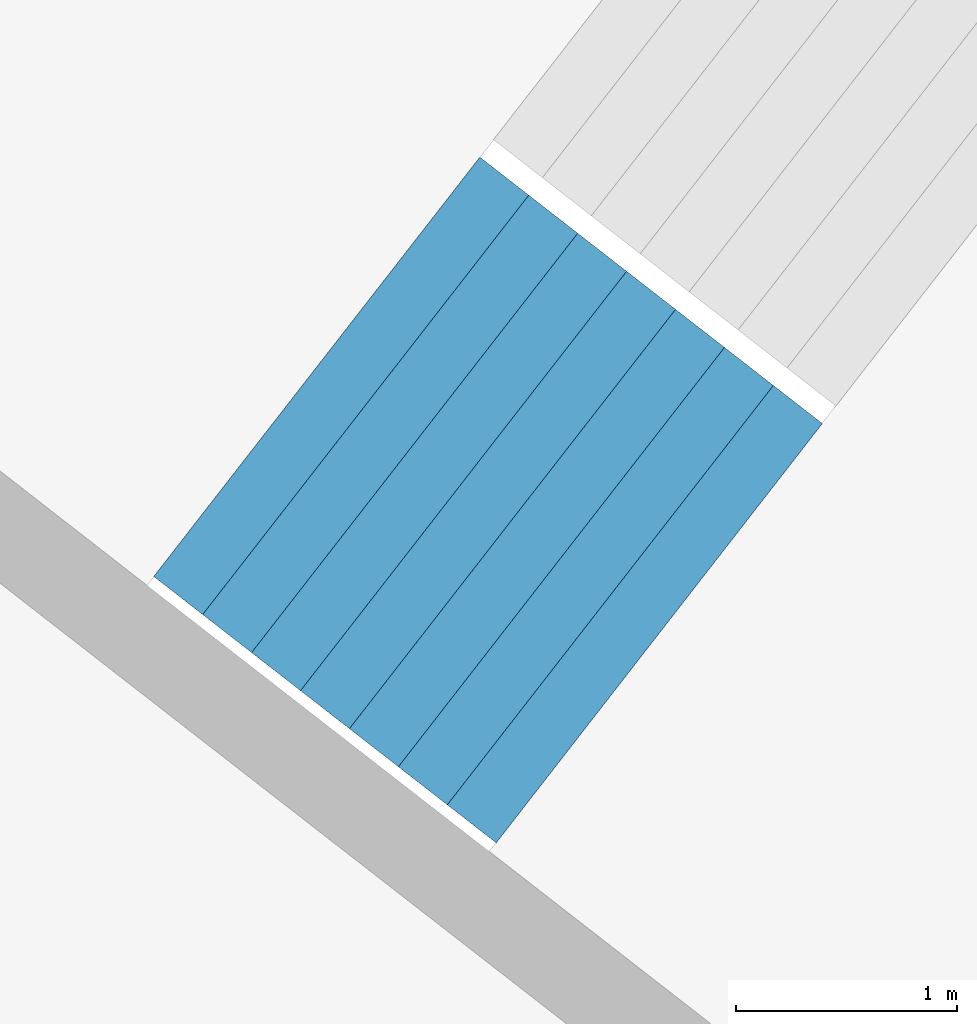
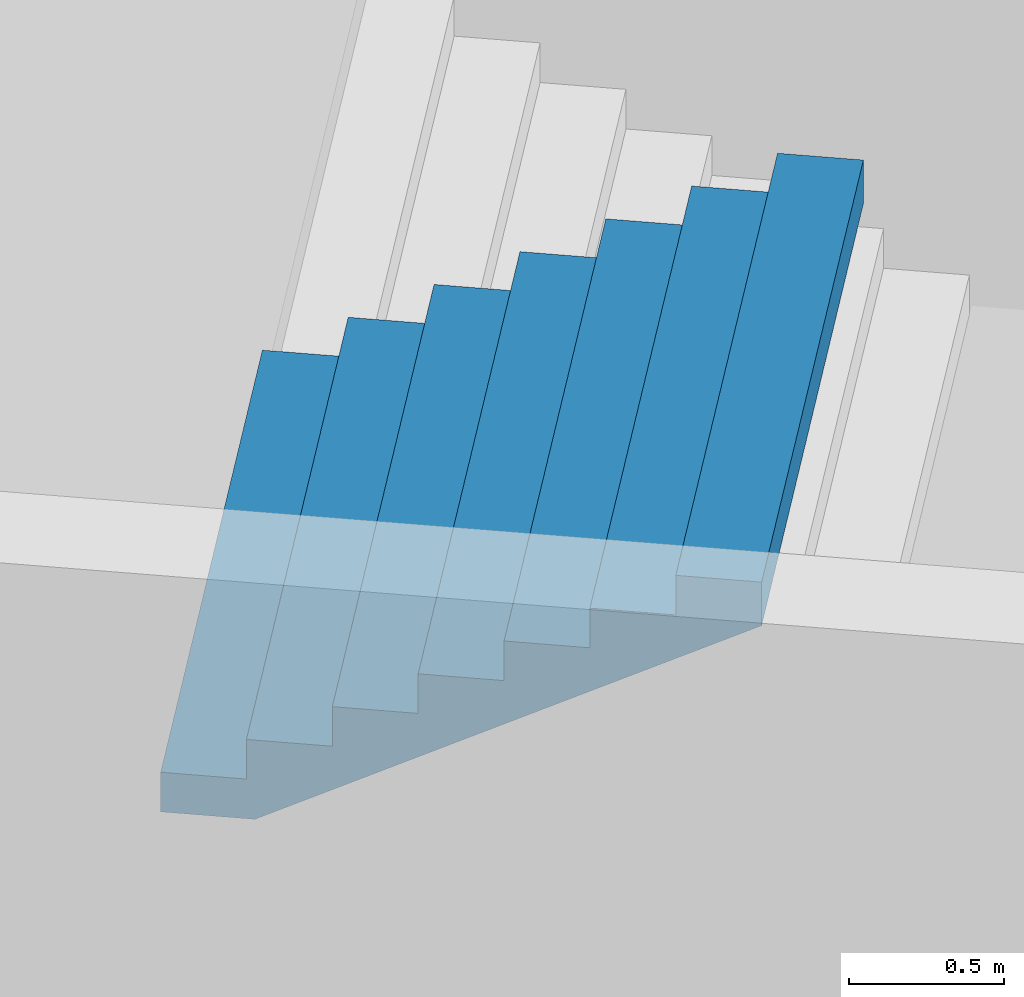
# One storey, part 38 of 73: 1 stair flight, 1 element without a shape of its own.
"""IFC4 building model written with IfcOpenShell, lengths in metres."""

from ifc_helpers import new_model, si_unit, direction, frame, origin, place, context, subcontext, project, spatial, triangles, material, type_object, element, aggregate, save


model = new_model("IFC4")

# Units and contexts
model_context = context("Model", 3, precision=1e-05, world=origin(), true_north=direction((0.0, 1.0)))
body_context = subcontext(model_context, "Body", "Model", "MODEL_VIEW")
ifc_project = project(units=[si_unit("LENGTHUNIT", "METRE"), si_unit("AREAUNIT", "SQUARE_METRE"), si_unit("VOLUMEUNIT", "CUBIC_METRE"), si_unit("PLANEANGLEUNIT", "RADIAN"), si_unit("MASSUNIT", "GRAM", prefix="KILO")], contexts=[model_context])

# Site, building, storey
site_placement = place(None, origin())
site = spatial("IfcSite", under=ifc_project, at=site_placement, CompositionType="ELEMENT")
building_placement = place(site_placement, origin())
building = spatial("IfcBuilding", under=site, at=building_placement, Name="Lantaw Convention Tower", CompositionType="ELEMENT")
storey_placement = place(building_placement, frame((0.0, 0.0, 22.0)))
storey = spatial("IfcBuildingStorey", under=building, at=storey_placement, Name="L03", CompositionType="ELEMENT", Elevation=22.0)

# Stair, stair flight
ifc_material = material(Name="Concrete C35/45", Category="concrete")
stair_type = type_object("IfcStairType", Name="Exit stair 2400 riser 156.25 in 4 flights", PredefinedType="HALF_TURN_STAIR", material=ifc_material)
stair_placement = place(storey_placement, origin())
stair = element("IfcStair", 1, at=stair_placement, inside=storey, type_object=stair_type, Name="Podium exit stair P7 L03", PredefinedType="HALF_TURN_STAIR")
stair_flight_type = type_object("IfcStairFlightType", Name="Stair flight 2400 riser 156.25", PredefinedType="STRAIGHT", material=ifc_material)
stair_flight_placement = place(storey_placement, frame((-31.04150390625, 22.557861328125, 3.75), z_axis=(0.0, 0.0, 1.0), x_axis=(0.789378829664, -0.613906396186, 0.0)))
stair_flight = element("IfcStairFlight", 2, at=stair_flight_placement, type_object=stair_flight_type, Name="P7 flight 4", NumberOfRisers=8, NumberOfTreads=7, PredefinedType="STRAIGHT", RiserHeight=0.15625, TreadLength=0.28, context=body_context, shape_type="Tessellation", body=[
    triangles([(0.0, 1.199951171875, 0.0), (0.0, 1.199951171875, 0.15625), (0.28, 1.199951171875, 0.0), (0.28, 1.199951171875, 0.15625), (0.28, 1.199951171875, 0.3125), (0.3076200632058044, 1.199951171875, 0.0), (0.3076200632058044, 1.199951171875, 0.3125), (0.56, 1.199951171875, 0.14083701830033238), (0.56, 1.199951171875, 0.3125), (0.56, 1.199951171875, 0.46875), (0.8400000000000001, 1.199951171875, 0.29708701830033235), (0.8400000000000001, 1.199951171875, 0.46875), (0.8400000000000001, 1.199951171875, 0.625), (1.12, 1.199951171875, 0.45333701830033235), (1.12, 1.199951171875, 0.625), (1.12, 1.199951171875, 0.78125), (1.4000000000000001, 1.199951171875, 0.6095870183003324), (1.4000000000000001, 1.199951171875, 0.78125), (1.4000000000000001, 1.199951171875, 0.9375), (1.6800000000000002, 1.199951171875, 0.7658370183003324), (1.6800000000000002, 1.199951171875, 0.9375), (1.6800000000000002, 1.199951171875, 1.09375), (1.9600000000000002, 1.199951171875, 0.9220870183003324), (1.9600000000000002, 1.199951171875, 1.09375), (0.0, -1.199951171875, 0.0), (0.0, -1.199951171875, 0.15625), (0.28, -1.199951171875, 0.0), (0.28, -1.199951171875, 0.15625), (0.28, -1.199951171875, 0.3125), (0.3076200632058044, -1.199951171875, 0.0), (0.3076200632058044, -1.199951171875, 0.3125), (0.56, -1.199951171875, 0.14083701830033238), (0.56, -1.199951171875, 0.3125), (0.56, -1.199951171875, 0.46875), (0.8400000000000001, -1.199951171875, 0.29708701830033235), (0.8400000000000001, -1.199951171875, 0.46875), (0.8400000000000001, -1.199951171875, 0.625), (1.12, -1.199951171875, 0.45333701830033235), (1.12, -1.199951171875, 0.625), (1.12, -1.199951171875, 0.78125), (1.4000000000000001, -1.199951171875, 0.6095870183003324), (1.4000000000000001, -1.199951171875, 0.78125), (1.4000000000000001, -1.199951171875, 0.9375), (1.6800000000000002, -1.199951171875, 0.7658370183003324), (1.6800000000000002, -1.199951171875, 0.9375), (1.6800000000000002, -1.199951171875, 1.09375), (1.9600000000000002, -1.199951171875, 0.9220870183003324), (1.9600000000000002, -1.199951171875, 1.09375), (0.0, 0.239990234375, 0.15625), (0.0, 0.239990234375, 0.0), (0.0, 0.1919921875, 0.15625), (0.0, 0.1919921875, 0.0), (0.0, 0.143994140625, 0.15625), (0.0, 0.143994140625, 0.0), (0.0, 0.09599609375, 0.15625), (0.0, 0.09599609375, 0.0), (0.0, 0.047998046875, 0.15625), (0.0, 0.047998046875, 0.0), (0.0, 0.0, 0.15625), (0.0, 0.0, 0.0), (0.0, -0.047998046875, 0.15625), (0.0, -0.047998046875, 0.0), (0.0, -0.09599609375, 0.15625), (0.0, -0.09599609375, 0.0), (0.0, -0.143994140625, 0.15625), (0.0, -0.143994140625, 0.0), (0.0, -0.1919921875, 0.15625), (0.0, -0.1919921875, 0.0), (0.0, -0.239990234375, 0.15625), (0.0, -0.239990234375, 0.0), (0.28, 0.239990234375, 0.3125), (0.28, 0.239990234375, 0.15625), (0.28, 0.1919921875, 0.3125), (0.28, 0.1919921875, 0.15625), (0.28, 0.143994140625, 0.3125), (0.28, 0.143994140625, 0.15625), (0.28, 0.09599609375, 0.3125), (0.28, 0.09599609375, 0.15625), (0.28, 0.047998046875, 0.3125), (0.28, 0.047998046875, 0.15625), (0.28, 0.0, 0.3125), (0.28, 0.0, 0.15625), (0.28, -0.047998046875, 0.3125), (0.28, -0.047998046875, 0.15625), (0.28, -0.09599609375, 0.3125), (0.28, -0.09599609375, 0.15625), (0.28, -0.143994140625, 0.3125), (0.28, -0.143994140625, 0.15625), (0.28, -0.1919921875, 0.3125), (0.28, -0.1919921875, 0.15625), (0.28, -0.239990234375, 0.3125), (0.28, -0.239990234375, 0.15625), (0.56, 0.239990234375, 0.46875), (0.56, 0.239990234375, 0.3125), (0.56, 0.1919921875, 0.46875), (0.56, 0.1919921875, 0.3125), (0.56, 0.143994140625, 0.46875), (0.56, 0.143994140625, 0.3125), (0.56, 0.09599609375, 0.46875), (0.56, 0.09599609375, 0.3125), (0.56, 0.047998046875, 0.46875), (0.56, 0.047998046875, 0.3125), (0.56, 0.0, 0.46875), (0.56, 0.0, 0.3125), (0.56, -0.047998046875, 0.46875), (0.56, -0.047998046875, 0.3125), (0.56, -0.09599609375, 0.46875), (0.56, -0.09599609375, 0.3125), (0.56, -0.143994140625, 0.46875), (0.56, -0.143994140625, 0.3125), (0.56, -0.1919921875, 0.46875), (0.56, -0.1919921875, 0.3125), (0.56, -0.239990234375, 0.46875), (0.56, -0.239990234375, 0.3125), (0.8400000000000001, 0.239990234375, 0.625), (0.8400000000000001, 0.239990234375, 0.46875), (0.8400000000000001, 0.1919921875, 0.625), (0.8400000000000001, 0.1919921875, 0.46875), (0.8400000000000001, 0.143994140625, 0.625), (0.8400000000000001, 0.143994140625, 0.46875), (0.8400000000000001, 0.09599609375, 0.625), (0.8400000000000001, 0.09599609375, 0.46875), (0.8400000000000001, 0.047998046875, 0.625), (0.8400000000000001, 0.047998046875, 0.46875), (0.8400000000000001, 0.0, 0.625), (0.8400000000000001, 0.0, 0.46875), (0.8400000000000001, -0.047998046875, 0.625), (0.8400000000000001, -0.047998046875, 0.46875), (0.8400000000000001, -0.09599609375, 0.625), (0.8400000000000001, -0.09599609375, 0.46875), (0.8400000000000001, -0.143994140625, 0.625), (0.8400000000000001, -0.143994140625, 0.46875), (0.8400000000000001, -0.1919921875, 0.625), (0.8400000000000001, -0.1919921875, 0.46875), (0.8400000000000001, -0.239990234375, 0.625), (0.8400000000000001, -0.239990234375, 0.46875), (1.12, 0.239990234375, 0.78125), (1.12, 0.239990234375, 0.625), (1.12, 0.1919921875, 0.78125), (1.12, 0.1919921875, 0.625), (1.12, 0.143994140625, 0.78125), (1.12, 0.143994140625, 0.625), (1.12, 0.09599609375, 0.78125), (1.12, 0.09599609375, 0.625), (1.12, 0.047998046875, 0.78125), (1.12, 0.047998046875, 0.625), (1.12, 0.0, 0.78125), (1.12, 0.0, 0.625), (1.12, -0.047998046875, 0.78125), (1.12, -0.047998046875, 0.625), (1.12, -0.09599609375, 0.78125), (1.12, -0.09599609375, 0.625), (1.12, -0.143994140625, 0.78125), (1.12, -0.143994140625, 0.625), (1.12, -0.1919921875, 0.78125), (1.12, -0.1919921875, 0.625), (1.12, -0.239990234375, 0.78125), (1.12, -0.239990234375, 0.625), (1.4000000000000001, 0.239990234375, 0.9375), (1.4000000000000001, 0.239990234375, 0.78125), (1.4000000000000001, 0.1919921875, 0.9375), (1.4000000000000001, 0.1919921875, 0.78125), (1.4000000000000001, 0.143994140625, 0.9375), (1.4000000000000001, 0.143994140625, 0.78125), (1.4000000000000001, 0.09599609375, 0.9375), (1.4000000000000001, 0.09599609375, 0.78125), (1.4000000000000001, 0.047998046875, 0.9375), (1.4000000000000001, 0.047998046875, 0.78125), (1.4000000000000001, 0.0, 0.9375), (1.4000000000000001, 0.0, 0.78125), (1.4000000000000001, -0.047998046875, 0.9375), (1.4000000000000001, -0.047998046875, 0.78125), (1.4000000000000001, -0.09599609375, 0.9375), (1.4000000000000001, -0.09599609375, 0.78125), (1.4000000000000001, -0.143994140625, 0.9375), (1.4000000000000001, -0.143994140625, 0.78125), (1.4000000000000001, -0.1919921875, 0.9375), (1.4000000000000001, -0.1919921875, 0.78125), (1.4000000000000001, -0.239990234375, 0.9375), (1.4000000000000001, -0.239990234375, 0.78125), (1.6800000000000002, 0.239990234375, 1.09375), (1.6800000000000002, 0.239990234375, 0.9375), (1.6800000000000002, 0.1919921875, 1.09375), (1.6800000000000002, 0.1919921875, 0.9375), (1.6800000000000002, 0.143994140625, 1.09375), (1.6800000000000002, 0.143994140625, 0.9375), (1.6800000000000002, 0.09599609375, 1.09375), (1.6800000000000002, 0.09599609375, 0.9375), (1.6800000000000002, 0.047998046875, 1.09375), (1.6800000000000002, 0.047998046875, 0.9375), (1.6800000000000002, 0.0, 1.09375), (1.6800000000000002, 0.0, 0.9375), (1.6800000000000002, -0.047998046875, 1.09375), (1.6800000000000002, -0.047998046875, 0.9375), (1.6800000000000002, -0.09599609375, 1.09375), (1.6800000000000002, -0.09599609375, 0.9375), (1.6800000000000002, -0.143994140625, 1.09375), (1.6800000000000002, -0.143994140625, 0.9375), (1.6800000000000002, -0.1919921875, 1.09375), (1.6800000000000002, -0.1919921875, 0.9375), (1.6800000000000002, -0.239990234375, 1.09375), (1.6800000000000002, -0.239990234375, 0.9375), (0.3076200632058044, 0.239990234375, 0.3125), (0.3076200632058044, 0.1919921875, 0.3125), (0.3076200632058044, 0.143994140625, 0.3125), (0.3076200632058044, 0.09599609375, 0.3125), (0.3076200632058044, 0.047998046875, 0.3125), (0.3076200632058044, 0.0, 0.3125), (0.3076200632058044, -0.047998046875, 0.3125), (0.3076200632058044, -0.09599609375, 0.3125), (0.3076200632058044, -0.143994140625, 0.3125), (0.3076200632058044, -0.1919921875, 0.3125), (0.3076200632058044, -0.239990234375, 0.3125), (1.9600000000000002, 0.239990234375, 1.09375), (1.9600000000000002, 0.1919921875, 1.09375), (1.9600000000000002, 0.143994140625, 1.09375), (1.9600000000000002, 0.09599609375, 1.09375), (1.9600000000000002, 0.047998046875, 1.09375), (1.9600000000000002, 0.0, 1.09375), (1.9600000000000002, -0.047998046875, 1.09375), (1.9600000000000002, -0.09599609375, 1.09375), (1.9600000000000002, -0.143994140625, 1.09375), (1.9600000000000002, -0.1919921875, 1.09375), (1.9600000000000002, -0.239990234375, 1.09375), (1.9600000000000002, 0.239990234375, 0.9220870183003324), (1.9600000000000002, 0.1919921875, 0.9220870183003324), (1.9600000000000002, 0.143994140625, 0.9220870183003324), (1.9600000000000002, 0.09599609375, 0.9220870183003324), (1.9600000000000002, 0.047998046875, 0.9220870183003324), (1.9600000000000002, 0.0, 0.9220870183003324), (1.9600000000000002, -0.047998046875, 0.9220870183003324), (1.9600000000000002, -0.09599609375, 0.9220870183003324), (1.9600000000000002, -0.143994140625, 0.9220870183003324), (1.9600000000000002, -0.1919921875, 0.9220870183003324), (1.9600000000000002, -0.239990234375, 0.9220870183003324), (1.6800000000000002, 0.239990234375, 0.7658370183003324), (1.6800000000000002, 0.1919921875, 0.7658370183003324), (1.6800000000000002, 0.143994140625, 0.7658370183003324), (1.6800000000000002, 0.09599609375, 0.7658370183003324), (1.6800000000000002, 0.047998046875, 0.7658370183003324), (1.6800000000000002, 0.0, 0.7658370183003324), (1.6800000000000002, -0.047998046875, 0.7658370183003324), (1.6800000000000002, -0.09599609375, 0.7658370183003324), (1.6800000000000002, -0.143994140625, 0.7658370183003324), (1.6800000000000002, -0.1919921875, 0.7658370183003324), (1.6800000000000002, -0.239990234375, 0.7658370183003324), (1.4000000000000001, 0.239990234375, 0.6095870183003324), (1.4000000000000001, 0.1919921875, 0.6095870183003324), (1.4000000000000001, 0.143994140625, 0.6095870183003324), (1.4000000000000001, 0.09599609375, 0.6095870183003324), (1.4000000000000001, 0.047998046875, 0.6095870183003324), (1.4000000000000001, 0.0, 0.6095870183003324), (1.4000000000000001, -0.047998046875, 0.6095870183003324), (1.4000000000000001, -0.09599609375, 0.6095870183003324), (1.4000000000000001, -0.143994140625, 0.6095870183003324), (1.4000000000000001, -0.1919921875, 0.6095870183003324), (1.4000000000000001, -0.239990234375, 0.6095870183003324), (1.12, 0.239990234375, 0.45333701830033235), (1.12, 0.1919921875, 0.45333701830033235), (1.12, 0.143994140625, 0.45333701830033235), (1.12, 0.09599609375, 0.45333701830033235), (1.12, 0.047998046875, 0.45333701830033235), (1.12, 0.0, 0.45333701830033235), (1.12, -0.047998046875, 0.45333701830033235), (1.12, -0.09599609375, 0.45333701830033235), (1.12, -0.143994140625, 0.45333701830033235), (1.12, -0.1919921875, 0.45333701830033235), (1.12, -0.239990234375, 0.45333701830033235), (0.8400000000000001, 0.239990234375, 0.29708701830033235), (0.8400000000000001, 0.1919921875, 0.29708701830033235), (0.8400000000000001, 0.143994140625, 0.29708701830033235), (0.8400000000000001, 0.09599609375, 0.29708701830033235), (0.8400000000000001, 0.047998046875, 0.29708701830033235), (0.8400000000000001, 0.0, 0.29708701830033235), (0.8400000000000001, -0.047998046875, 0.29708701830033235), (0.8400000000000001, -0.09599609375, 0.29708701830033235), (0.8400000000000001, -0.143994140625, 0.29708701830033235), (0.8400000000000001, -0.1919921875, 0.29708701830033235), (0.8400000000000001, -0.239990234375, 0.29708701830033235), (0.56, 0.239990234375, 0.14083701830033238), (0.56, 0.1919921875, 0.14083701830033238), (0.56, 0.143994140625, 0.14083701830033238), (0.56, 0.09599609375, 0.14083701830033238), (0.56, 0.047998046875, 0.14083701830033238), (0.56, 0.0, 0.14083701830033238), (0.56, -0.047998046875, 0.14083701830033238), (0.56, -0.09599609375, 0.14083701830033238), (0.56, -0.143994140625, 0.14083701830033238), (0.56, -0.1919921875, 0.14083701830033238), (0.56, -0.239990234375, 0.14083701830033238), (0.3076200632058044, 0.239990234375, 0.0), (0.3076200632058044, 0.1919921875, 0.0), (0.3076200632058044, 0.143994140625, 0.0), (0.3076200632058044, 0.09599609375, 0.0), (0.3076200632058044, 0.047998046875, 0.0), (0.3076200632058044, 0.0, 0.0), (0.3076200632058044, -0.047998046875, 0.0), (0.3076200632058044, -0.09599609375, 0.0), (0.3076200632058044, -0.143994140625, 0.0), (0.3076200632058044, -0.1919921875, 0.0), (0.3076200632058044, -0.239990234375, 0.0), (0.28, 0.239990234375, 0.0), (0.28, 0.1919921875, 0.0), (0.28, 0.143994140625, 0.0), (0.28, 0.09599609375, 0.0), (0.28, 0.047998046875, 0.0), (0.28, 0.0, 0.0), (0.28, -0.047998046875, 0.0), (0.28, -0.09599609375, 0.0), (0.28, -0.143994140625, 0.0), (0.28, -0.1919921875, 0.0), (0.28, -0.239990234375, 0.0)], [[1, 4, 3], [1, 2, 4], [3, 4, 6], [4, 7, 6], [4, 5, 7], [6, 9, 8], [6, 7, 9], [8, 9, 11], [9, 12, 11], [9, 10, 12], [11, 12, 14], [12, 15, 14], [12, 13, 15], [14, 15, 17], [15, 18, 17], [15, 16, 18], [17, 18, 20], [18, 21, 20], [18, 19, 21], [20, 21, 23], [21, 24, 23], [21, 22, 24], [25, 27, 28], [25, 28, 26], [27, 30, 28], [28, 30, 31], [28, 31, 29], [30, 32, 33], [30, 33, 31], [32, 35, 33], [33, 35, 36], [33, 36, 34], [35, 38, 36], [36, 38, 39], [36, 39, 37], [38, 41, 39], [39, 41, 42], [39, 42, 40], [41, 44, 42], [42, 44, 45], [42, 45, 43], [44, 47, 45], [45, 47, 48], [45, 48, 46], [1, 49, 2], [1, 50, 49], [50, 51, 49], [50, 52, 51], [52, 53, 51], [52, 54, 53], [54, 55, 53], [54, 56, 55], [56, 57, 55], [56, 58, 57], [58, 59, 57], [58, 60, 59], [60, 61, 59], [60, 62, 61], [62, 63, 61], [62, 64, 63], [64, 65, 63], [64, 66, 65], [66, 67, 65], [66, 68, 67], [68, 69, 67], [68, 70, 69], [70, 26, 69], [70, 25, 26], [4, 71, 5], [4, 72, 71], [72, 73, 71], [72, 74, 73], [74, 75, 73], [74, 76, 75], [76, 77, 75], [76, 78, 77], [78, 79, 77], [78, 80, 79], [80, 81, 79], [80, 82, 81], [82, 83, 81], [82, 84, 83], [84, 85, 83], [84, 86, 85], [86, 87, 85], [86, 88, 87], [88, 89, 87], [88, 90, 89], [90, 91, 89], [90, 92, 91], [92, 29, 91], [92, 28, 29], [9, 93, 10], [9, 94, 93], [94, 95, 93], [94, 96, 95], [96, 97, 95], [96, 98, 97], [98, 99, 97], [98, 100, 99], [100, 101, 99], [100, 102, 101], [102, 103, 101], [102, 104, 103], [104, 105, 103], [104, 106, 105], [106, 107, 105], [106, 108, 107], [108, 109, 107], [108, 110, 109], [110, 111, 109], [110, 112, 111], [112, 113, 111], [112, 114, 113], [114, 34, 113], [114, 33, 34], [12, 115, 13], [12, 116, 115], [116, 117, 115], [116, 118, 117], [118, 119, 117], [118, 120, 119], [120, 121, 119], [120, 122, 121], [122, 123, 121], [122, 124, 123], [124, 125, 123], [124, 126, 125], [126, 127, 125], [126, 128, 127], [128, 129, 127], [128, 130, 129], [130, 131, 129], [130, 132, 131], [132, 133, 131], [132, 134, 133], [134, 135, 133], [134, 136, 135], [136, 37, 135], [136, 36, 37], [15, 137, 16], [15, 138, 137], [138, 139, 137], [138, 140, 139], [140, 141, 139], [140, 142, 141], [142, 143, 141], [142, 144, 143], [144, 145, 143], [144, 146, 145], [146, 147, 145], [146, 148, 147], [148, 149, 147], [148, 150, 149], [150, 151, 149], [150, 152, 151], [152, 153, 151], [152, 154, 153], [154, 155, 153], [154, 156, 155], [156, 157, 155], [156, 158, 157], [158, 40, 157], [158, 39, 40], [18, 159, 19], [18, 160, 159], [160, 161, 159], [160, 162, 161], [162, 163, 161], [162, 164, 163], [164, 165, 163], [164, 166, 165], [166, 167, 165], [166, 168, 167], [168, 169, 167], [168, 170, 169], [170, 171, 169], [170, 172, 171], [172, 173, 171], [172, 174, 173], [174, 175, 173], [174, 176, 175], [176, 177, 175], [176, 178, 177], [178, 179, 177], [178, 180, 179], [180, 43, 179], [180, 42, 43], [21, 181, 22], [21, 182, 181], [182, 183, 181], [182, 184, 183], [184, 185, 183], [184, 186, 185], [186, 187, 185], [186, 188, 187], [188, 189, 187], [188, 190, 189], [190, 191, 189], [190, 192, 191], [192, 193, 191], [192, 194, 193], [194, 195, 193], [194, 196, 195], [196, 197, 195], [196, 198, 197], [198, 199, 197], [198, 200, 199], [200, 201, 199], [200, 202, 201], [202, 46, 201], [202, 45, 46], [2, 72, 4], [2, 49, 72], [49, 74, 72], [49, 51, 74], [51, 76, 74], [51, 53, 76], [53, 78, 76], [53, 55, 78], [55, 80, 78], [55, 57, 80], [57, 82, 80], [57, 59, 82], [59, 84, 82], [59, 61, 84], [61, 86, 84], [61, 63, 86], [63, 88, 86], [63, 65, 88], [65, 90, 88], [65, 67, 90], [67, 92, 90], [67, 69, 92], [69, 28, 92], [69, 26, 28], [5, 203, 7], [5, 71, 203], [71, 204, 203], [71, 73, 204], [73, 205, 204], [73, 75, 205], [75, 206, 205], [75, 77, 206], [77, 207, 206], [77, 79, 207], [79, 208, 207], [79, 81, 208], [81, 209, 208], [81, 83, 209], [83, 210, 209], [83, 85, 210], [85, 211, 210], [85, 87, 211], [87, 212, 211], [87, 89, 212], [89, 213, 212], [89, 91, 213], [91, 31, 213], [91, 29, 31], [7, 94, 9], [7, 203, 94], [203, 96, 94], [203, 204, 96], [204, 98, 96], [204, 205, 98], [205, 100, 98], [205, 206, 100], [206, 102, 100], [206, 207, 102], [207, 104, 102], [207, 208, 104], [208, 106, 104], [208, 209, 106], [209, 108, 106], [209, 210, 108], [210, 110, 108], [210, 211, 110], [211, 112, 110], [211, 212, 112], [212, 114, 112], [212, 213, 114], [213, 33, 114], [213, 31, 33], [10, 116, 12], [10, 93, 116], [93, 118, 116], [93, 95, 118], [95, 120, 118], [95, 97, 120], [97, 122, 120], [97, 99, 122], [99, 124, 122], [99, 101, 124], [101, 126, 124], [101, 103, 126], [103, 128, 126], [103, 105, 128], [105, 130, 128], [105, 107, 130], [107, 132, 130], [107, 109, 132], [109, 134, 132], [109, 111, 134], [111, 136, 134], [111, 113, 136], [113, 36, 136], [113, 34, 36], [13, 138, 15], [13, 115, 138], [115, 140, 138], [115, 117, 140], [117, 142, 140], [117, 119, 142], [119, 144, 142], [119, 121, 144], [121, 146, 144], [121, 123, 146], [123, 148, 146], [123, 125, 148], [125, 150, 148], [125, 127, 150], [127, 152, 150], [127, 129, 152], [129, 154, 152], [129, 131, 154], [131, 156, 154], [131, 133, 156], [133, 158, 156], [133, 135, 158], [135, 39, 158], [135, 37, 39], [16, 160, 18], [16, 137, 160], [137, 162, 160], [137, 139, 162], [139, 164, 162], [139, 141, 164], [141, 166, 164], [141, 143, 166], [143, 168, 166], [143, 145, 168], [145, 170, 168], [145, 147, 170], [147, 172, 170], [147, 149, 172], [149, 174, 172], [149, 151, 174], [151, 176, 174], [151, 153, 176], [153, 178, 176], [153, 155, 178], [155, 180, 178], [155, 157, 180], [157, 42, 180], [157, 40, 42], [19, 182, 21], [19, 159, 182], [159, 184, 182], [159, 161, 184], [161, 186, 184], [161, 163, 186], [163, 188, 186], [163, 165, 188], [165, 190, 188], [165, 167, 190], [167, 192, 190], [167, 169, 192], [169, 194, 192], [169, 171, 194], [171, 196, 194], [171, 173, 196], [173, 198, 196], [173, 175, 198], [175, 200, 198], [175, 177, 200], [177, 202, 200], [177, 179, 202], [179, 45, 202], [179, 43, 45], [22, 214, 24], [22, 181, 214], [181, 215, 214], [181, 183, 215], [183, 216, 215], [183, 185, 216], [185, 217, 216], [185, 187, 217], [187, 218, 217], [187, 189, 218], [189, 219, 218], [189, 191, 219], [191, 220, 219], [191, 193, 220], [193, 221, 220], [193, 195, 221], [195, 222, 221], [195, 197, 222], [197, 223, 222], [197, 199, 223], [199, 224, 223], [199, 201, 224], [201, 48, 224], [201, 46, 48], [24, 225, 23], [24, 214, 225], [214, 226, 225], [214, 215, 226], [215, 227, 226], [215, 216, 227], [216, 228, 227], [216, 217, 228], [217, 229, 228], [217, 218, 229], [218, 230, 229], [218, 219, 230], [219, 231, 230], [219, 220, 231], [220, 232, 231], [220, 221, 232], [221, 233, 232], [221, 222, 233], [222, 234, 233], [222, 223, 234], [223, 235, 234], [223, 224, 235], [224, 47, 235], [224, 48, 47], [23, 236, 20], [23, 225, 236], [225, 237, 236], [225, 226, 237], [226, 238, 237], [226, 227, 238], [227, 239, 238], [227, 228, 239], [228, 240, 239], [228, 229, 240], [229, 241, 240], [229, 230, 241], [230, 242, 241], [230, 231, 242], [231, 243, 242], [231, 232, 243], [232, 244, 243], [232, 233, 244], [233, 245, 244], [233, 234, 245], [234, 246, 245], [234, 235, 246], [235, 44, 246], [235, 47, 44], [20, 247, 17], [20, 236, 247], [236, 248, 247], [236, 237, 248], [237, 249, 248], [237, 238, 249], [238, 250, 249], [238, 239, 250], [239, 251, 250], [239, 240, 251], [240, 252, 251], [240, 241, 252], [241, 253, 252], [241, 242, 253], [242, 254, 253], [242, 243, 254], [243, 255, 254], [243, 244, 255], [244, 256, 255], [244, 245, 256], [245, 257, 256], [245, 246, 257], [246, 41, 257], [246, 44, 41], [17, 258, 14], [17, 247, 258], [247, 259, 258], [247, 248, 259], [248, 260, 259], [248, 249, 260], [249, 261, 260], [249, 250, 261], [250, 262, 261], [250, 251, 262], [251, 263, 262], [251, 252, 263], [252, 264, 263], [252, 253, 264], [253, 265, 264], [253, 254, 265], [254, 266, 265], [254, 255, 266], [255, 267, 266], [255, 256, 267], [256, 268, 267], [256, 257, 268], [257, 38, 268], [257, 41, 38], [14, 269, 11], [14, 258, 269], [258, 270, 269], [258, 259, 270], [259, 271, 270], [259, 260, 271], [260, 272, 271], [260, 261, 272], [261, 273, 272], [261, 262, 273], [262, 274, 273], [262, 263, 274], [263, 275, 274], [263, 264, 275], [264, 276, 275], [264, 265, 276], [265, 277, 276], [265, 266, 277], [266, 278, 277], [266, 267, 278], [267, 279, 278], [267, 268, 279], [268, 35, 279], [268, 38, 35], [11, 280, 8], [11, 269, 280], [269, 281, 280], [269, 270, 281], [270, 282, 281], [270, 271, 282], [271, 283, 282], [271, 272, 283], [272, 284, 283], [272, 273, 284], [273, 285, 284], [273, 274, 285], [274, 286, 285], [274, 275, 286], [275, 287, 286], [275, 276, 287], [276, 288, 287], [276, 277, 288], [277, 289, 288], [277, 278, 289], [278, 290, 289], [278, 279, 290], [279, 32, 290], [279, 35, 32], [8, 291, 6], [8, 280, 291], [280, 292, 291], [280, 281, 292], [281, 293, 292], [281, 282, 293], [282, 294, 293], [282, 283, 294], [283, 295, 294], [283, 284, 295], [284, 296, 295], [284, 285, 296], [285, 297, 296], [285, 286, 297], [286, 298, 297], [286, 287, 298], [287, 299, 298], [287, 288, 299], [288, 300, 299], [288, 289, 300], [289, 301, 300], [289, 290, 301], [290, 30, 301], [290, 32, 30], [6, 302, 3], [6, 291, 302], [291, 303, 302], [291, 292, 303], [292, 304, 303], [292, 293, 304], [293, 305, 304], [293, 294, 305], [294, 306, 305], [294, 295, 306], [295, 307, 306], [295, 296, 307], [296, 308, 307], [296, 297, 308], [297, 309, 308], [297, 298, 309], [298, 310, 309], [298, 299, 310], [299, 311, 310], [299, 300, 311], [300, 312, 311], [300, 301, 312], [301, 27, 312], [301, 30, 27], [3, 50, 1], [3, 302, 50], [302, 52, 50], [302, 303, 52], [303, 54, 52], [303, 304, 54], [304, 56, 54], [304, 305, 56], [305, 58, 56], [305, 306, 58], [306, 60, 58], [306, 307, 60], [307, 62, 60], [307, 308, 62], [308, 64, 62], [308, 309, 64], [309, 66, 64], [309, 310, 66], [310, 68, 66], [310, 311, 68], [311, 70, 68], [311, 312, 70], [312, 25, 70], [312, 27, 25]], closed=True),
])
aggregate(stair, [stair_flight])

save(model, "model.ifc")
